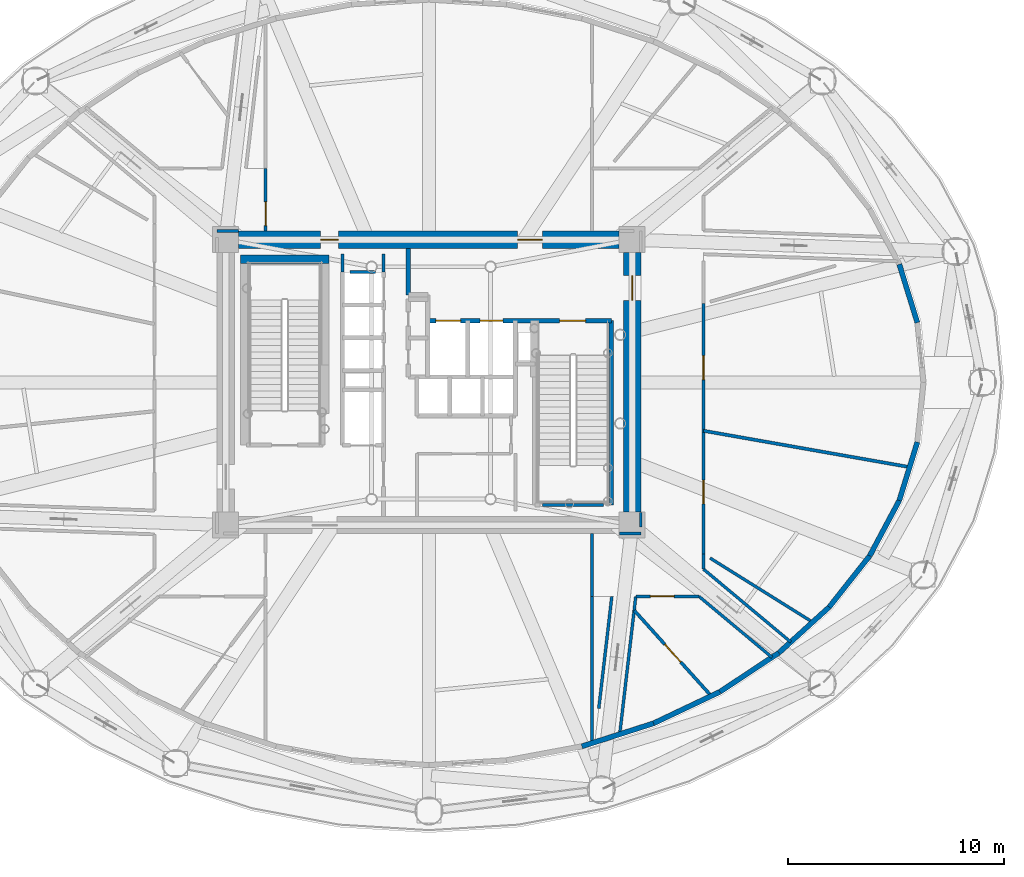
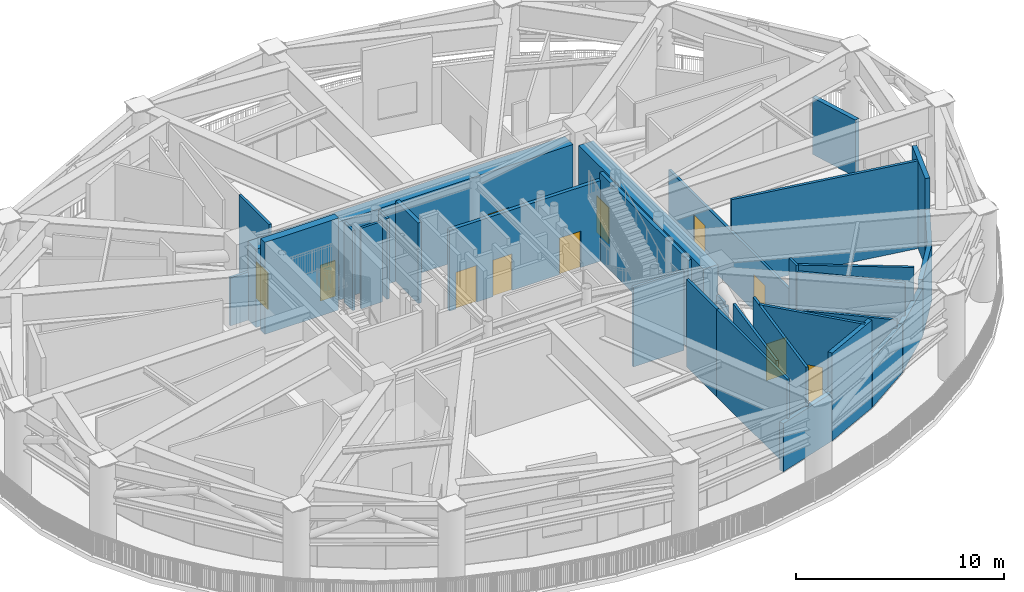
# One storey, part 12 of 20: 34 walls, 11 doors, 11 openings.
"""IFC4 building model written with IfcOpenShell, lengths in metres."""

from ifc_helpers import new_model, si_unit, direction, frame, frame_2d, origin, origin_2d, place, context, subcontext, project, spatial, rectangle, extrude, source, transform, mapped, material, layer, layer_set, type_object, element, fill, save


model = new_model("IFC4")

# Units and contexts
model_context = context("Model", 3, precision=1e-05, world=origin(), true_north=direction((0.0, 1.0)))
body_context = subcontext(model_context, "Body", "Model", "MODEL_VIEW")
ifc_project = project(units=[si_unit("LENGTHUNIT", "METRE"), si_unit("AREAUNIT", "SQUARE_METRE"), si_unit("VOLUMEUNIT", "CUBIC_METRE"), si_unit("PLANEANGLEUNIT", "RADIAN"), si_unit("MASSUNIT", "GRAM", prefix="KILO")], contexts=[model_context])

# Site, building, storey
site_placement = place(None, origin())
site = spatial("IfcSite", under=ifc_project, at=site_placement, CompositionType="ELEMENT")
building_placement = place(site_placement, origin())
building = spatial("IfcBuilding", under=site, at=building_placement, Name="Linh Dai School and Residence Tower", CompositionType="ELEMENT")
storey_placement = place(building_placement, frame((0.0, 0.0, 204.89990234375)))
storey = spatial("IfcBuildingStorey", under=building, at=storey_placement, Name="L50", CompositionType="ELEMENT", Elevation=204.89990234375)

# Walls
ifc_material_1 = material(Name="Precast Concrete B45 (C35/45)", Category="concrete")
ifc_layer_1 = layer(ifc_material_1, 0.239990234375)
ifc_layer_set_1 = layer_set([ifc_layer_1], Name="Precast Concrete B45 (C35/45)")
wall_type_1 = type_object("IfcWallType", Name="EW-TC-240", PredefinedType="SOLIDWALL", material=ifc_layer_set_1)
wall_1_placement = place(storey_placement, frame((57.759033203125, 32.46142578125, 0.0), z_axis=(0.0, 0.0, 1.0), x_axis=(0.295792689333, -0.955252157777, 0.0)))
element("IfcWall", 1, at=wall_1_placement, inside=storey, type_object=wall_type_1, Name="L50 Terracotta Exterior Wall 02", PredefinedType="SOLIDWALL", context=body_context, shape_type="SweptSolid", body=[
    extrude(rectangle(XDim=2.82373046875, YDim=0.239990234375, at=frame_2d((1.411865234375, 0.0))), origin(), (0.0, 0.0, 1.0), 3.335205078125),
])
wall_2_placement = place(storey_placement, frame((46.395751953125, 11.2294921875, 0.0), z_axis=(0.0, 0.0, 1.0), x_axis=(-0.952120339323, -0.305723501629, 0.0)))
element("IfcWall", 2, at=wall_2_placement, inside=storey, type_object=wall_type_1, Name="L50 Terracotta Exterior Wall 33", PredefinedType="SOLIDWALL", context=body_context, shape_type="SweptSolid", body=[
    extrude(rectangle(XDim=3.48583984375, YDim=0.239990234375, at=frame_2d((1.742919921875, 0.0))), origin(), (0.0, 0.0, 1.0), 2.83203125),
])
wall_3_placement = place(storey_placement, frame((49.457763671875, 12.68408203125, 0.0), z_axis=(0.0, 0.0, 1.0), x_axis=(-0.903262152457, -0.429089132861, 0.0)))
element("IfcWall", 3, at=wall_3_placement, inside=storey, type_object=wall_type_1, Name="L50 Terracotta Exterior Wall 34", PredefinedType="SOLIDWALL", context=body_context, shape_type="SweptSolid", body=[
    extrude(rectangle(XDim=3.389892578125, YDim=0.239990234375, at=frame_2d((1.69482421875, 0.0))), origin(), (0.0, 0.0, 1.0), 5.150146484375),
])
wall_4_placement = place(storey_placement, frame((52.186767578125, 14.490966796875, 0.0), z_axis=(0.0, 0.0, 1.0), x_axis=(-0.833801933416, -0.552063706317, 0.0)))
element("IfcWall", 4, at=wall_4_placement, inside=storey, type_object=wall_type_1, Name="L50 Terracotta Exterior Wall 35", PredefinedType="SOLIDWALL", context=body_context, shape_type="SweptSolid", body=[
    extrude(rectangle(XDim=3.27294921875, YDim=0.239990234375, at=frame_2d((1.636474609375, 0.0))), origin(), (0.0, 0.0, 1.0), 2.83203125),
])
wall_5_placement = place(storey_placement, frame((54.51611328125, 16.605224609375, 0.0), z_axis=(0.0, 0.0, 1.0), x_axis=(-0.740466603827, -0.672093154716, 0.0)))
element("IfcWall", 5, at=wall_5_placement, inside=storey, type_object=wall_type_1, Name="L50 Terracotta Exterior Wall 36", PredefinedType="SOLIDWALL", context=body_context, shape_type="SweptSolid", body=[
    extrude(rectangle(XDim=3.145751953125, YDim=0.239990234375, at=frame_2d((1.57275390625, 0.0))), origin(), (0.0, 0.0, 1.0), 2.83203125),
])
wall_6_placement = place(storey_placement, frame((56.388671875, 18.97412109375, 0.0), z_axis=(0.0, 0.0, 1.0), x_axis=(-0.620129139863, -0.784499744992, 0.0)))
element("IfcWall", 6, at=wall_6_placement, inside=storey, type_object=wall_type_1, Name="L50 Terracotta Exterior Wall 37", PredefinedType="SOLIDWALL", context=body_context, shape_type="SweptSolid", body=[
    extrude(rectangle(XDim=3.01953125, YDim=0.239990234375, at=frame_2d((1.509765625, 0.0))), origin(), (0.0, 0.0, 1.0), 3.335205078125),
])
wall_7_placement = place(storey_placement, frame((57.759033203125, 21.53857421875, 0.0), z_axis=(0.0, 0.0, 1.0), x_axis=(-0.471298448495, -0.881973793514, 0.0)))
element("IfcWall", 7, at=wall_7_placement, inside=storey, type_object=wall_type_1, Name="L50 Terracotta Exterior Wall 38", PredefinedType="SOLIDWALL", context=body_context, shape_type="SweptSolid", body=[
    extrude(rectangle(XDim=2.90771484375, YDim=0.239990234375, at=frame_2d((1.453857421875, 0.0))), origin(), (0.0, 0.0, 1.0), 3.335205078125),
])
wall_8_placement = place(storey_placement, frame((58.59423828125, 24.23583984375, 0.0), z_axis=(0.0, 0.0, 1.0), x_axis=(-0.295792689333, -0.955252157777, 0.0)))
element("IfcWall", 8, at=wall_8_placement, inside=storey, type_object=wall_type_1, Name="L50 Terracotta Exterior Wall 39", PredefinedType="SOLIDWALL", context=body_context, shape_type="SweptSolid", body=[
    extrude(rectangle(XDim=2.82373046875, YDim=0.239990234375, at=frame_2d((1.411865234375, 0.0))), origin(), (0.0, 0.0, 1.0), 5.150146484375),
])

# Wall, opening, door
ifc_material_2 = material(Name="Autoclaved Aerated Concrete Blockwork", Category="masonry")
ifc_layer_2 = layer(ifc_material_2, 0.135009765625)
ifc_layer_set_2 = layer_set([ifc_layer_2], Name="Autoclaved Aerated Concrete Blockwork")
wall_type_2 = type_object("IfcWallType", Name="IW-CORR-135-EI90", PredefinedType="PARTITIONING", material=ifc_layer_set_2)
wall_9_placement = place(storey_placement, frame((28.449951171875, 34.0, 0.0), z_axis=(0.0, 0.0, 1.0), x_axis=(0.0, 1.0, 0.0)))
wall_9 = element("IfcWall", 9, at=wall_9_placement, inside=storey, type_object=wall_type_2, Name="L50 Interior Partition Wall 015", PredefinedType="PARTITIONING", context=body_context, shape_type="SweptSolid", body=[
    extrude(rectangle(XDim=2.89990234375, YDim=0.135009765625, at=frame_2d((1.449951171875, 0.0))), origin(), (0.0, 0.0, 1.0), 5.150146484375),
])
opening_1_placement = place(wall_9_placement, frame((0.244873046875, 0.0, 0.0)))
opening_1 = element("IfcOpeningElement", 10, at=opening_1_placement, cuts=wall_9, Name="Opening D07", PredefinedType="OPENING", context=body_context, shape_type="SweptSolid", body=[
    extrude(rectangle(XDim=1.10009765625, YDim=2.14990234375, at=origin_2d()), frame((0.550048828125, 0.07763671875, 1.074951171875), z_axis=(0.0, -1.0, 0.0), x_axis=(1.0, 0.0, 0.0)), (0.0, 0.0, 1.0), 0.155029296875),
])
ifc_material_3 = material(Name="Fire-Rated Louvred Steel Plant Door", Category="steel")
door_type_1 = type_object("IfcDoorType", Name="DR-PLT-1100x2150-FD60S", OperationType="NOTDEFINED", PredefinedType="DOOR", material=ifc_material_3)
shared_shape_1 = source(origin(), body_context, "Body", "SweptSolid", [
    extrude(rectangle(XDim=1.10009765625, YDim=2.14990234375, at=origin_2d()), frame((0.550048828125, 0.02490234375, 1.074951171875), z_axis=(0.0, -1.0, 0.0), x_axis=(1.0, 0.0, 0.0)), (0.0, 0.0, 1.0), 0.050048828125),
])
door_1_placement = place(opening_1_placement, origin())
door_1 = element("IfcDoor", 11, at=door_1_placement, inside=storey, type_object=door_type_1, Name="L50 Pressurised Fire Refuge Area North Corridor Door", OperationType="SINGLE_SWING_RIGHT", OverallHeight=2.14990234375, OverallWidth=1.10009765625, PredefinedType="DOOR", context=body_context, shape_type="MappedRepresentation", body=[
    mapped(shared_shape_1, transform((0.0, 0.0, 0.0), x_axis=(1.0, 0.0, 0.0), y_axis=(0.0, 1.0, 0.0), z_axis=(0.0, 0.0, 1.0), scale=1.0)),
])
fill(opening_1, door_1)

# Walls
wall_10_placement = place(storey_placement, frame((43.550048828125, 17.10009765625, 0.0), z_axis=(0.0, 0.0, 1.0), x_axis=(0.0, 1.0, 0.0)))
element("IfcWall", 12, at=wall_10_placement, inside=storey, type_object=wall_type_2, Name="L50 Interior Partition Wall 044", PredefinedType="PARTITIONING", context=body_context, shape_type="SweptSolid", body=[
    extrude(rectangle(XDim=2.89990234375, YDim=0.135009765625, at=frame_2d((1.449951171875, 0.0))), origin(), (0.0, 0.0, 1.0), 5.150146484375),
])
wall_11_placement = place(storey_placement, frame((44.825439453125, 10.72021484375, 0.0), z_axis=(0.0, 0.0, 1.0), x_axis=(0.115778200297, 0.993275091974, 0.0)))
element("IfcWall", 13, at=wall_11_placement, inside=storey, type_object=wall_type_2, Name="L50 Interior Partition Wall 048", PredefinedType="PARTITIONING", context=body_context, shape_type="SweptSolid", body=[
    extrude(rectangle(XDim=6.423095703125, YDim=0.135009765625, at=frame_2d((3.21142578125, 0.0))), origin(), (0.0, 0.0, 1.0), 5.150146484375),
])

# Wall, opening, door
wall_12_placement = place(storey_placement, frame((45.569091796875, 17.10009765625, 0.0), z_axis=(0.0, 0.0, 1.0), x_axis=(1.0, 0.0, 0.0)))
wall_12 = element("IfcWall", 14, at=wall_12_placement, inside=storey, type_object=wall_type_2, Name="L50 Interior Partition Wall 050", PredefinedType="PARTITIONING", context=body_context, shape_type="SweptSolid", body=[
    extrude(rectangle(XDim=2.9248046875, YDim=0.135009765625, at=frame_2d((1.46240234375, 0.0))), origin(), (0.0, 0.0, 1.0), 3.335205078125),
])
opening_2_placement = place(wall_12_placement, frame((0.6748046875, 0.0, 0.0)))
opening_2 = element("IfcOpeningElement", 15, at=opening_2_placement, cuts=wall_12, Name="Opening D07", PredefinedType="OPENING", context=body_context, shape_type="SweptSolid", body=[
    extrude(rectangle(XDim=1.10009765625, YDim=2.14990234375, at=origin_2d()), frame((0.550048828125, 0.07763671875, 1.074951171875), z_axis=(0.0, -1.0, 0.0), x_axis=(1.0, 0.0, 0.0)), (0.0, 0.0, 1.0), 0.155029296875),
])
door_2_placement = place(opening_2_placement, origin())
door_2 = element("IfcDoor", 16, at=door_2_placement, inside=storey, type_object=door_type_1, Name="L50 Refuge Emergency Equipment & First-Aid Store Door", OperationType="SINGLE_SWING_RIGHT", OverallHeight=2.14990234375, OverallWidth=1.10009765625, PredefinedType="DOOR", context=body_context, shape_type="MappedRepresentation", body=[
    mapped(shared_shape_1, transform((0.0, 0.0, 0.0), x_axis=(1.0, 0.0, 0.0), y_axis=(0.0, 1.0, 0.0), z_axis=(0.0, 0.0, 1.0), scale=1.0)),
])
fill(opening_2, door_2)

# Wall
wall_13_placement = place(storey_placement, frame((48.493896484375, 17.10009765625, 0.0), z_axis=(0.0, 0.0, 1.0), x_axis=(0.767584642719, -0.640947592446, 0.0)))
element("IfcWall", 17, at=wall_13_placement, inside=storey, type_object=wall_type_2, Name="L50 Interior Partition Wall 051", PredefinedType="PARTITIONING", context=body_context, shape_type="SweptSolid", body=[
    extrude(rectangle(XDim=4.4033203125, YDim=0.135009765625, at=frame_2d((2.20166015625, 0.0))), origin(), (0.0, 0.0, 1.0), 3.335205078125),
])

# Wall, openings, doors
wall_14_placement = place(storey_placement, frame((48.699951171875, 19.064208984375, 0.0), z_axis=(0.0, 0.0, 1.0), x_axis=(0.0, 1.0, 0.0)))
wall_14 = element("IfcWall", 18, at=wall_14_placement, inside=storey, type_object=wall_type_2, Name="L50 Interior Partition Wall 052", PredefinedType="PARTITIONING", context=body_context, shape_type="SweptSolid", body=[
    extrude(rectangle(XDim=11.577392578125, YDim=0.135009765625, at=frame_2d((5.78857421875, 0.0))), origin(), (0.0, 0.0, 1.0), 3.335205078125),
])
opening_3_placement = place(wall_14_placement, frame((2.318115234375, 0.0, 0.0)))
opening_3 = element("IfcOpeningElement", 19, at=opening_3_placement, cuts=wall_14, Name="Opening D07", PredefinedType="OPENING", context=body_context, shape_type="SweptSolid", body=[
    extrude(rectangle(XDim=1.10009765625, YDim=2.14990234375, at=origin_2d()), frame((0.550048828125, 0.07763671875, 1.074951171875), z_axis=(0.0, -1.0, 0.0), x_axis=(1.0, 0.0, 0.0)), (0.0, 0.0, 1.0), 0.155029296875),
])
opening_4_placement = place(wall_14_placement, frame((8.06689453125, 0.0, 0.0)))
opening_4 = element("IfcOpeningElement", 20, at=opening_4_placement, cuts=wall_14, Name="Opening D07", PredefinedType="OPENING", context=body_context, shape_type="SweptSolid", body=[
    extrude(rectangle(XDim=1.10009765625, YDim=2.14990234375, at=origin_2d()), frame((0.550048828125, 0.07763671875, 1.074951171875), z_axis=(0.0, -1.0, 0.0), x_axis=(1.0, 0.0, 0.0)), (0.0, 0.0, 1.0), 0.155029296875),
])
door_3_placement = place(opening_3_placement, origin())
door_3 = element("IfcDoor", 21, at=door_3_placement, inside=storey, type_object=door_type_1, Name="L50 Primary Air-Handling Plant Room East 1 Door", OperationType="SINGLE_SWING_LEFT", OverallHeight=2.14990234375, OverallWidth=1.10009765625, PredefinedType="DOOR", context=body_context, shape_type="MappedRepresentation", body=[
    mapped(shared_shape_1, transform((0.0, 0.0, 0.0), x_axis=(1.0, 0.0, 0.0), y_axis=(0.0, 1.0, 0.0), z_axis=(0.0, 0.0, 1.0), scale=1.0)),
])
fill(opening_3, door_3)
door_4_placement = place(opening_4_placement, origin())
door_4 = element("IfcDoor", 22, at=door_4_placement, inside=storey, type_object=door_type_1, Name="L50 Primary Air-Handling Plant Room East 2 Door", OperationType="SINGLE_SWING_RIGHT", OverallHeight=2.14990234375, OverallWidth=1.10009765625, PredefinedType="DOOR", context=body_context, shape_type="MappedRepresentation", body=[
    mapped(shared_shape_1, transform((0.0, 0.0, 0.0), x_axis=(1.0, 0.0, 0.0), y_axis=(0.0, 1.0, 0.0), z_axis=(0.0, 0.0, 1.0), scale=1.0)),
])
fill(opening_4, door_4)

# Walls
wall_15_placement = place(storey_placement, frame((44.080078125, 21.330078125, 0.0), z_axis=(0.0, 0.0, 1.0), x_axis=(-1.0, 0.0, 0.0)))
element("IfcWall", 23, at=wall_15_placement, inside=storey, type_object=wall_type_2, Name="L50 Interior Partition Wall 055", PredefinedType="PARTITIONING", context=body_context, shape_type="SweptSolid", body=[
    extrude(rectangle(XDim=2.820068359375, YDim=0.135009765625, at=frame_2d((1.41015625, 0.0))), origin(), (0.0, 0.0, 1.0), 4.68505859375),
])
wall_16_placement = place(storey_placement, frame((32.360107421875, 32.10009765625, 0.0), z_axis=(0.0, 0.0, 1.0), x_axis=(1.0, 0.0, 0.0)))
element("IfcWall", 24, at=wall_16_placement, inside=storey, type_object=wall_type_2, Name="L50 Interior Partition Wall 056", PredefinedType="PARTITIONING", context=body_context, shape_type="SweptSolid", body=[
    extrude(rectangle(XDim=1.179931640625, YDim=0.135009765625, at=frame_2d((0.58984375, 0.0))), origin(), (0.0, 0.0, 1.0), 4.735107421875),
])
wall_17_placement = place(storey_placement, frame((32.0, 32.93994140625, 0.0), z_axis=(0.0, 0.0, 1.0), x_axis=(0.0, -1.0, 0.0)))
element("IfcWall", 25, at=wall_17_placement, inside=storey, type_object=wall_type_2, Name="L50 Interior Partition Wall 058", PredefinedType="PARTITIONING", context=body_context, shape_type="SweptSolid", body=[
    extrude(rectangle(XDim=0.829833984375, YDim=0.135009765625, at=frame_2d((0.4150390625, 0.0))), origin(), (0.0, 0.0, 1.0), 4.68505859375),
])
wall_18_placement = place(storey_placement, frame((33.89990234375, 32.110107421875, 0.0), z_axis=(0.0, 0.0, 1.0), x_axis=(0.0, 1.0, 0.0)))
element("IfcWall", 26, at=wall_18_placement, inside=storey, type_object=wall_type_2, Name="L50 Interior Partition Wall 059", PredefinedType="PARTITIONING", context=body_context, shape_type="SweptSolid", body=[
    extrude(rectangle(XDim=0.829833984375, YDim=0.135009765625, at=frame_2d((0.4150390625, 0.0))), origin(), (0.0, 0.0, 1.0), 4.735107421875),
])
wall_19_placement = place(storey_placement, frame((43.550048828125, 17.090087890625, 0.0), z_axis=(0.0, 0.0, 1.0), x_axis=(0.0, -1.0, 0.0)))
element("IfcWall", 27, at=wall_19_placement, inside=storey, type_object=wall_type_2, Name="L50 Interior Partition Wall 061", PredefinedType="PARTITIONING", context=body_context, shape_type="SweptSolid", body=[
    extrude(rectangle(XDim=6.779541015625, YDim=0.135009765625, at=frame_2d((3.3896484375, 0.0))), origin(), (0.0, 0.0, 1.0), 5.150146484375),
])
wall_20_placement = place(storey_placement, frame((27.18994140625, 34.0, 0.0), z_axis=(0.0, 0.0, 1.0), x_axis=(-1.0, 0.0, 0.0)))
element("IfcWall", 28, at=wall_20_placement, inside=storey, type_object=wall_type_2, Name="L50 Interior Partition Wall 068", PredefinedType="PARTITIONING", context=body_context, shape_type="SweptSolid", body=[
    extrude(rectangle(XDim=0.989990234375, YDim=0.135009765625, at=frame_2d((0.4951171875, 0.0))), origin(), (0.0, 0.0, 1.0), 2.83203125),
])
wall_21_placement = place(storey_placement, frame((43.857421875, 11.916259765625, 0.0), z_axis=(0.0, 0.0, 1.0), x_axis=(0.115779934644, 0.993274889813, 0.0)))
element("IfcWall", 29, at=wall_21_placement, inside=storey, type_object=wall_type_2, Name="L50 Interior Partition Wall 072", PredefinedType="PARTITIONING", context=body_context, shape_type="SweptSolid", body=[
    extrude(rectangle(XDim=5.218994140625, YDim=0.135009765625, at=frame_2d((2.609375, 0.0))), origin(), (0.0, 0.0, 1.0), 5.150146484375),
])
wall_22_placement = place(storey_placement, frame((44.81005859375, 20.0, 0.0), z_axis=(0.0, 0.0, 1.0), x_axis=(1.0, 0.0, 0.0)))
element("IfcWall", 30, at=wall_22_placement, inside=storey, type_object=wall_type_2, Name="L50 Interior Partition Wall 073", PredefinedType="PARTITIONING", context=body_context, shape_type="SweptSolid", body=[
    extrude(rectangle(XDim=0.989990234375, YDim=0.135009765625, at=frame_2d((0.4951171875, 0.0))), origin(), (0.0, 0.0, 1.0), 2.83203125),
])
wall_23_placement = place(storey_placement, frame((45.800048828125, 20.3076171875, 0.0), z_axis=(0.0, 0.0, 1.0), x_axis=(0.0, 1.0, 0.0)))
element("IfcWall", 31, at=wall_23_placement, inside=storey, type_object=wall_type_2, Name="L50 Interior Partition Wall 074", PredefinedType="PARTITIONING", context=body_context, shape_type="SweptSolid", body=[
    extrude(rectangle(XDim=0.682373046875, YDim=0.135009765625, at=frame_2d((0.34130859375, 0.0))), origin(), (0.0, 0.0, 1.0), 2.83203125),
])
wall_24_placement = place(storey_placement, frame((48.699951171875, 19.05419921875, 0.0), z_axis=(0.0, 0.0, 1.0), x_axis=(0.0, -1.0, 0.0)))
element("IfcWall", 32, at=wall_24_placement, inside=storey, type_object=wall_type_2, Name="L50 Interior Partition Wall 084", PredefinedType="PARTITIONING", context=body_context, shape_type="SweptSolid", body=[
    extrude(rectangle(XDim=0.693115234375, YDim=0.135009765625, at=frame_2d((0.3466796875, 0.0))), origin(), (0.0, 0.0, 1.0), 5.150146484375),
])
wall_25_placement = place(storey_placement, frame((48.699951171875, 18.361083984375, 0.0), z_axis=(0.0, 0.0, 1.0), x_axis=(0.767593674455, -0.640936776084, 0.0)))
element("IfcWall", 33, at=wall_25_placement, inside=storey, type_object=wall_type_2, Name="L50 Interior Partition Wall 085", PredefinedType="PARTITIONING", context=body_context, shape_type="SweptSolid", body=[
    extrude(rectangle(XDim=5.26416015625, YDim=0.135009765625, at=frame_2d((2.632080078125, 0.0))), origin(), (0.0, 0.0, 1.0), 4.775146484375),
])
wall_26_placement = place(storey_placement, frame((53.753662109375, 15.90625, 0.0), z_axis=(0.0, 0.0, 1.0), x_axis=(-0.848037513665, 0.529936199383, 0.0)))
element("IfcWall", 34, at=wall_26_placement, inside=storey, type_object=wall_type_2, Name="L50 Interior Partition Wall 086", PredefinedType="PARTITIONING", context=body_context, shape_type="SweptSolid", body=[
    extrude(rectangle(XDim=5.5966796875, YDim=0.135009765625, at=frame_2d((2.79833984375, 0.0))), origin(), (0.0, 0.0, 1.0), 4.775146484375),
])

# Wall, opening, door
ifc_layer_3 = layer(ifc_material_2, 0.14990234375)
ifc_layer_set_3 = layer_set([ifc_layer_3], Name="Autoclaved Aerated Concrete Blockwork")
wall_type_3 = type_object("IfcWallType", Name="IW-SCH-150-EI60", PredefinedType="PARTITIONING", material=ifc_layer_set_3)
wall_27_placement = place(storey_placement, frame((45.494140625, 16.455810546875, 0.0), z_axis=(0.0, 0.0, 1.0), x_axis=(0.669136650224, -0.743139383512, 0.0)))
wall_27 = element("IfcWall", 35, at=wall_27_placement, inside=storey, type_object=wall_type_3, Name="L50 Interior Partition Wall 049", PredefinedType="PARTITIONING", context=body_context, shape_type="SweptSolid", body=[
    extrude(rectangle(XDim=5.334716796875, YDim=0.14990234375, at=frame_2d((2.66748046875, 0.0))), origin(), (0.0, 0.0, 1.0), 5.150146484375),
])
opening_5_placement = place(wall_27_placement, frame((2.1171875, 0.0, 0.0)))
opening_5 = element("IfcOpeningElement", 36, at=opening_5_placement, cuts=wall_27, Name="Opening D07", PredefinedType="OPENING", context=body_context, shape_type="SweptSolid", body=[
    extrude(rectangle(XDim=1.10009765625, YDim=2.14990234375, at=origin_2d()), frame((0.550048828125, 0.0849609375, 1.074951171875), z_axis=(0.0, -1.0, 0.0), x_axis=(1.0, 0.0, 0.0)), (0.0, 0.0, 1.0), 0.169921875),
])
door_5_placement = place(opening_5_placement, origin())
door_5 = element("IfcDoor", 37, at=door_5_placement, inside=storey, type_object=door_type_1, Name="L50 Emergency Life-Safety UPS Battery Plant Room Door", OperationType="SINGLE_SWING_RIGHT", OverallHeight=2.14990234375, OverallWidth=1.10009765625, PredefinedType="DOOR", context=body_context, shape_type="MappedRepresentation", body=[
    mapped(shared_shape_1, transform((0.0, 0.0, 0.0), x_axis=(1.0, 0.0, 0.0), y_axis=(0.0, 1.0, 0.0), z_axis=(0.0, 0.0, 1.0), scale=1.0)),
])
fill(opening_5, door_5)

# Walls
wall_28_placement = place(storey_placement, frame((48.699951171875, 24.7607421875, 0.0), z_axis=(0.0, 0.0, 1.0), x_axis=(0.984807902687, -0.173647328815, 0.0)))
element("IfcWall", 38, at=wall_28_placement, inside=storey, type_object=wall_type_3, Name="L50 Interior Partition Wall 053", PredefinedType="PARTITIONING", context=body_context, shape_type="SweptSolid", body=[
    extrude(rectangle(XDim=9.6884765625, YDim=0.14990234375, at=frame_2d((4.84423828125, 0.0))), origin(), (0.0, 0.0, 1.0), 5.150146484375),
])
ifc_material_4 = material(Name="Concrete B45 (C35/45)", Category="concrete")
ifc_layer_4 = layer(ifc_material_4, 0.199951171875)
ifc_layer_set_4 = layer_set([ifc_layer_4], Name="Concrete B45 (C35/45)")
wall_type_4 = type_object("IfcWallType", Name="IW-SHAFT-200-EI120", PredefinedType="PARTITIONING", material=ifc_layer_set_4)
wall_29_placement = place(storey_placement, frame((35.050048828125, 31.050048828125, 0.0), z_axis=(0.0, 0.0, 1.0), x_axis=(0.0, 1.0, 0.0)))
element("IfcWall", 39, at=wall_29_placement, inside=storey, type_object=wall_type_4, Name="L50 Interior Partition Wall 028", PredefinedType="PARTITIONING", context=body_context, shape_type="SweptSolid", body=[
    extrude(rectangle(XDim=2.14990234375, YDim=0.199951171875, at=frame_2d((1.074951171875, 0.0))), origin(), (0.0, 0.0, 1.0), 4.735107421875),
])

# Wall, openings, doors
wall_30_placement = place(storey_placement, frame((35.949951171875, 29.85009765625, 0.0), z_axis=(0.0, 0.0, 1.0), x_axis=(1.0, 0.0, 0.0)))
wall_30 = element("IfcWall", 40, at=wall_30_placement, inside=storey, type_object=wall_type_4, Name="L50 Interior Partition Wall 035", PredefinedType="PARTITIONING", context=body_context, shape_type="SweptSolid", body=[
    extrude(rectangle(XDim=8.489990234375, YDim=0.199951171875, at=frame_2d((4.2451171875, 0.0))), origin(), (0.0, 0.0, 1.0), 4.735107421875),
])
opening_6_placement = place(wall_30_placement, frame((6.10009765625, 0.0, 0.0)))
opening_6 = element("IfcOpeningElement", 41, at=opening_6_placement, cuts=wall_30, Name="Opening D01", PredefinedType="OPENING", context=body_context, shape_type="SweptSolid", body=[
    extrude(rectangle(XDim=1.199951171875, YDim=2.14990234375, at=origin_2d()), frame((0.60009765625, 0.10986328125, 1.074951171875), z_axis=(0.0, -1.0, 0.0), x_axis=(1.0, 0.0, 0.0)), (0.0, 0.0, 1.0), 0.219970703125),
])
opening_7_placement = place(wall_30_placement, frame((0.3701171875, 0.0, 0.0)))
opening_7 = element("IfcOpeningElement", 42, at=opening_7_placement, cuts=wall_30, Name="Opening LD-FF1", PredefinedType="OPENING", context=body_context, shape_type="SweptSolid", body=[
    extrude(rectangle(XDim=1.14990234375, YDim=2.14990234375, at=origin_2d()), frame((0.574951171875, 0.10986328125, 1.074951171875), z_axis=(0.0, -1.0, 0.0), x_axis=(1.0, 0.0, 0.0)), (0.0, 0.0, 1.0), 0.219970703125),
])
opening_8_placement = place(wall_30_placement, frame((2.425048828125, 0.0, 0.0)))
opening_8 = element("IfcOpeningElement", 43, at=opening_8_placement, cuts=wall_30, Name="Opening LD-SV1", PredefinedType="OPENING", context=body_context, shape_type="SweptSolid", body=[
    extrude(rectangle(XDim=1.050048828125, YDim=2.14990234375, at=origin_2d()), frame((0.52490234375, 0.10986328125, 1.074951171875), z_axis=(0.0, -1.0, 0.0), x_axis=(1.0, 0.0, 0.0)), (0.0, 0.0, 1.0), 0.219970703125),
])
ifc_material_5 = material(Name="Fire-Rated Steel Door Leaf", Category="steel")
door_type_2 = type_object("IfcDoorType", Name="DR-STAIR-1200x2150-FD90S", OperationType="NOTDEFINED", PredefinedType="DOOR", material=ifc_material_5)
shared_shape_2 = source(origin(), body_context, "Body", "SweptSolid", [
    extrude(rectangle(XDim=1.199951171875, YDim=2.14990234375, at=origin_2d()), frame((0.60009765625, 0.02490234375, 1.074951171875), z_axis=(0.0, -1.0, 0.0), x_axis=(1.0, 0.0, 0.0)), (0.0, 0.0, 1.0), 0.050048828125),
])
door_6_placement = place(opening_6_placement, origin())
door_6 = element("IfcDoor", 44, at=door_6_placement, inside=storey, type_object=door_type_2, Name="L50 Core Smokeproof Exit Stair ST2 Door", OperationType="SINGLE_SWING_RIGHT", OverallHeight=2.14990234375, OverallWidth=1.199951171875, PredefinedType="DOOR", context=body_context, shape_type="MappedRepresentation", body=[
    mapped(shared_shape_2, transform((0.0, 0.0, 0.0), x_axis=(1.0, 0.0, 0.0), y_axis=(0.0, 1.0, 0.0), z_axis=(0.0, 0.0, 1.0), scale=1.0)),
])
fill(opening_6, door_6)
ifc_material_6 = material(Name="Fire-Rated Stainless Steel Firefighting Lift Door", Category="steel")
door_type_3 = type_object("IfcDoorType", Name="DR-LD-FF-1150x2150-FD120", OperationType="DOUBLE_DOOR_SLIDING", PredefinedType="USERDEFINED", material=ifc_material_6)
shared_shape_3 = source(origin(), body_context, "Body", "SweptSolid", [
    extrude(rectangle(XDim=1.14990234375, YDim=2.14990234375, at=origin_2d()), frame((0.574951171875, 0.02490234375, 1.074951171875), z_axis=(0.0, -1.0, 0.0), x_axis=(1.0, 0.0, 0.0)), (0.0, 0.0, 1.0), 0.050048828125),
])
door_7_placement = place(opening_7_placement, origin())
door_7 = element("IfcDoor", 45, at=door_7_placement, inside=storey, type_object=door_type_3, Name="L50 Lift FF1 Sliding Landing Door", ObjectType="LANDING DOOR", OperationType="DOUBLE_DOOR_SLIDING", OverallHeight=2.14990234375, OverallWidth=1.14990234375, PredefinedType="USERDEFINED", context=body_context, shape_type="MappedRepresentation", body=[
    mapped(shared_shape_3, transform((0.0, 0.0, 0.0), x_axis=(1.0, 0.0, 0.0), y_axis=(0.0, 1.0, 0.0), z_axis=(0.0, 0.0, 1.0), scale=1.0)),
])
fill(opening_7, door_7)
ifc_material_7 = material(Name="Brushed Stainless Steel Lift Landing Door", Category="steel")
door_type_4 = type_object("IfcDoorType", Name="DR-LD-PASS-1050x2150", OperationType="DOUBLE_DOOR_SLIDING", PredefinedType="USERDEFINED", material=ifc_material_7)
shared_shape_4 = source(origin(), body_context, "Body", "SweptSolid", [
    extrude(rectangle(XDim=1.050048828125, YDim=2.14990234375, at=origin_2d()), frame((0.52490234375, 0.02490234375, 1.074951171875), z_axis=(0.0, -1.0, 0.0), x_axis=(1.0, 0.0, 0.0)), (0.0, 0.0, 1.0), 0.050048828125),
])
door_8_placement = place(opening_8_placement, origin())
door_8 = element("IfcDoor", 46, at=door_8_placement, inside=storey, type_object=door_type_4, Name="L50 Lift SV1 Sliding Landing Door", ObjectType="LANDING DOOR", OperationType="DOUBLE_DOOR_SLIDING", OverallHeight=2.14990234375, OverallWidth=1.050048828125, PredefinedType="USERDEFINED", context=body_context, shape_type="MappedRepresentation", body=[
    mapped(shared_shape_4, transform((0.0, 0.0, 0.0), x_axis=(1.0, 0.0, 0.0), y_axis=(0.0, 1.0, 0.0), z_axis=(0.0, 0.0, 1.0), scale=1.0)),
])
fill(opening_8, door_8)

# Walls
wall_31_placement = place(storey_placement, frame((44.43994140625, 21.330078125, 0.0), z_axis=(0.0, 0.0, 1.0), x_axis=(0.0, 1.0, 0.0)))
element("IfcWall", 47, at=wall_31_placement, inside=storey, type_object=wall_type_4, Name="L50 Interior Partition Wall 047", PredefinedType="PARTITIONING", context=body_context, shape_type="SweptSolid", body=[
    extrude(rectangle(XDim=8.52001953125, YDim=0.199951171875, at=frame_2d((4.260009765625, 0.0))), origin(), (0.0, 0.0, 1.0), 5.150146484375),
])
ifc_layer_5 = layer(ifc_material_4, 0.39990234375)
ifc_layer_set_5 = layer_set([ifc_layer_5], Name="Concrete B45 (C35/45)")
wall_type_5 = type_object("IfcWallType", Name="WL-CORE400", PredefinedType="SHEAR", material=ifc_layer_set_5)
wall_32_placement = place(storey_placement, frame((27.280029296875, 32.699951171875, 0.0), z_axis=(0.0, 0.0, 1.0), x_axis=(1.0, 0.0, 0.0)))
element("IfcWall", 48, at=wall_32_placement, inside=storey, type_object=wall_type_5, Name="L50 Core Stair ST1 Bearing Wall N", PredefinedType="SHEAR", context=body_context, shape_type="SweptSolid", body=[
    extrude(rectangle(XDim=4.099853515625, YDim=0.39990234375, at=frame_2d((2.0498046875, 0.0))), origin(), (0.0, 0.0, 1.0), 5.400146484375),
])

# Wall, openings, doors
ifc_material_8 = material(Name="Concrete B60 (C50/60)", Category="concrete")
ifc_layer_6 = layer(ifc_material_8, 0.800048828125)
ifc_layer_set_6 = layer_set([ifc_layer_6], Name="Concrete B60 (C50/60)")
wall_type_6 = type_object("IfcWallType", Name="WL-CORE800", PredefinedType="SHEAR", material=ifc_layer_set_6)
wall_33_placement = place(storey_placement, frame((27.199951171875, 33.60009765625, 0.0), z_axis=(0.0, 0.0, 1.0), x_axis=(1.0, 0.0, 0.0)))
wall_33 = element("IfcWall", 49, at=wall_33_placement, inside=storey, type_object=wall_type_6, Name="L50 Central Core Shear Wall N", PredefinedType="SHEAR", context=body_context, shape_type="SweptSolid", body=[
    extrude(rectangle(XDim=17.60009765625, YDim=0.800048828125, at=frame_2d((8.800048828125, 0.0))), origin(), (0.0, 0.0, 1.0), 4.60009765625),
])
opening_9_placement = place(wall_33_placement, frame((3.7900390625, 0.0, 0.0)))
opening_9 = element("IfcOpeningElement", 50, at=opening_9_placement, cuts=wall_33, Name="Opening D06", PredefinedType="OPENING", context=body_context, shape_type="SweptSolid", body=[
    extrude(rectangle(XDim=0.820068359375, YDim=2.10009765625, at=origin_2d()), frame((0.41015625, 0.41015625, 1.050048828125), z_axis=(0.0, -1.0, 0.0), x_axis=(1.0, 0.0, 0.0)), (0.0, 0.0, 1.0), 0.820068359375),
])
opening_10_placement = place(wall_33_placement, frame((12.89990234375, 0.0, 0.0)))
opening_10 = element("IfcOpeningElement", 51, at=opening_10_placement, cuts=wall_33, Name="Opening D02", PredefinedType="OPENING", context=body_context, shape_type="SweptSolid", body=[
    extrude(rectangle(XDim=1.14990234375, YDim=2.14990234375, at=origin_2d()), frame((0.574951171875, 0.41015625, 1.074951171875), z_axis=(0.0, -1.0, 0.0), x_axis=(1.0, 0.0, 0.0)), (0.0, 0.0, 1.0), 0.820068359375),
])
ifc_material_9 = material(Name="Moisture-Resistant Timber Bathroom Door", Category="wood")
door_type_5 = type_object("IfcDoorType", Name="DR-WET-820x2100", OperationType="NOTDEFINED", PredefinedType="DOOR", material=ifc_material_9)
shared_shape_5 = source(origin(), body_context, "Body", "SweptSolid", [
    extrude(rectangle(XDim=0.820068359375, YDim=2.10009765625, at=origin_2d()), frame((0.41015625, 0.02490234375, 1.050048828125), z_axis=(0.0, -1.0, 0.0), x_axis=(1.0, 0.0, 0.0)), (0.0, 0.0, 1.0), 0.050048828125),
])
door_9_placement = place(opening_9_placement, origin())
door_9 = element("IfcDoor", 52, at=door_9_placement, inside=storey, type_object=door_type_5, Name="L50 Refuge Lobby Access Door", OperationType="SINGLE_SWING_LEFT", OverallHeight=2.10009765625, OverallWidth=0.820068359375, PredefinedType="DOOR", context=body_context, shape_type="MappedRepresentation", body=[
    mapped(shared_shape_5, transform((0.0, 0.0, 0.0), x_axis=(1.0, 0.0, 0.0), y_axis=(0.0, 1.0, 0.0), z_axis=(0.0, 0.0, 1.0), scale=1.0)),
])
fill(opening_9, door_9)
ifc_material_10 = material(Name="Fire-Rated Glazed Steel Lobby Door", Category="steel")
door_type_6 = type_object("IfcDoorType", Name="DR-LOBBY-1150x2150-FD90S", OperationType="NOTDEFINED", PredefinedType="DOOR", material=ifc_material_10)
shared_shape_6 = source(origin(), body_context, "Body", "SweptSolid", [
    extrude(rectangle(XDim=1.14990234375, YDim=2.14990234375, at=origin_2d()), frame((0.574951171875, 0.02490234375, 1.074951171875), z_axis=(0.0, -1.0, 0.0), x_axis=(1.0, 0.0, 0.0)), (0.0, 0.0, 1.0), 0.050048828125),
])
door_10_placement = place(opening_10_placement, origin())
door_10 = element("IfcDoor", 53, at=door_10_placement, inside=storey, type_object=door_type_6, Name="L50 Refuge Lobby Access Door", OperationType="SINGLE_SWING_RIGHT", OverallHeight=2.14990234375, OverallWidth=1.14990234375, PredefinedType="DOOR", context=body_context, shape_type="MappedRepresentation", body=[
    mapped(shared_shape_6, transform((0.0, 0.0, 0.0), x_axis=(1.0, 0.0, 0.0), y_axis=(0.0, 1.0, 0.0), z_axis=(0.0, 0.0, 1.0), scale=1.0)),
])
fill(opening_10, door_10)

# Wall, opening, door
wall_34_placement = place(storey_placement, frame((45.39990234375, 33.0, 0.0), z_axis=(0.0, 0.0, 1.0), x_axis=(0.0, -1.0, 0.0)))
wall_34 = element("IfcWall", 54, at=wall_34_placement, inside=storey, type_object=wall_type_6, Name="L50 Central Core Shear Wall E", PredefinedType="SHEAR", context=body_context, shape_type="SweptSolid", body=[
    extrude(rectangle(XDim=12.0, YDim=0.800048828125, at=frame_2d((6.0, 0.0))), origin(), (0.0, 0.0, 1.0), 4.60009765625),
])
opening_11_placement = place(wall_34_placement, frame((1.061279296875, 0.0, 0.0)))
opening_11 = element("IfcOpeningElement", 55, at=opening_11_placement, cuts=wall_34, Name="Opening D02", PredefinedType="OPENING", context=body_context, shape_type="SweptSolid", body=[
    extrude(rectangle(XDim=1.14990234375, YDim=2.14990234375, at=origin_2d()), frame((0.574951171875, 0.41015625, 1.074951171875), z_axis=(0.0, -1.0, 0.0), x_axis=(1.0, 0.0, 0.0)), (0.0, 0.0, 1.0), 0.820068359375),
])
door_11_placement = place(opening_11_placement, origin())
door_11 = element("IfcDoor", 56, at=door_11_placement, inside=storey, type_object=door_type_6, Name="L50 Firefighting Lobby Door", OperationType="SINGLE_SWING_LEFT", OverallHeight=2.14990234375, OverallWidth=1.14990234375, PredefinedType="DOOR", context=body_context, shape_type="MappedRepresentation", body=[
    mapped(shared_shape_6, transform((0.0, 0.0, 0.0), x_axis=(1.0, 0.0, 0.0), y_axis=(0.0, 1.0, 0.0), z_axis=(0.0, 0.0, 1.0), scale=1.0)),
])
fill(opening_11, door_11)

save(model, "model.ifc")
